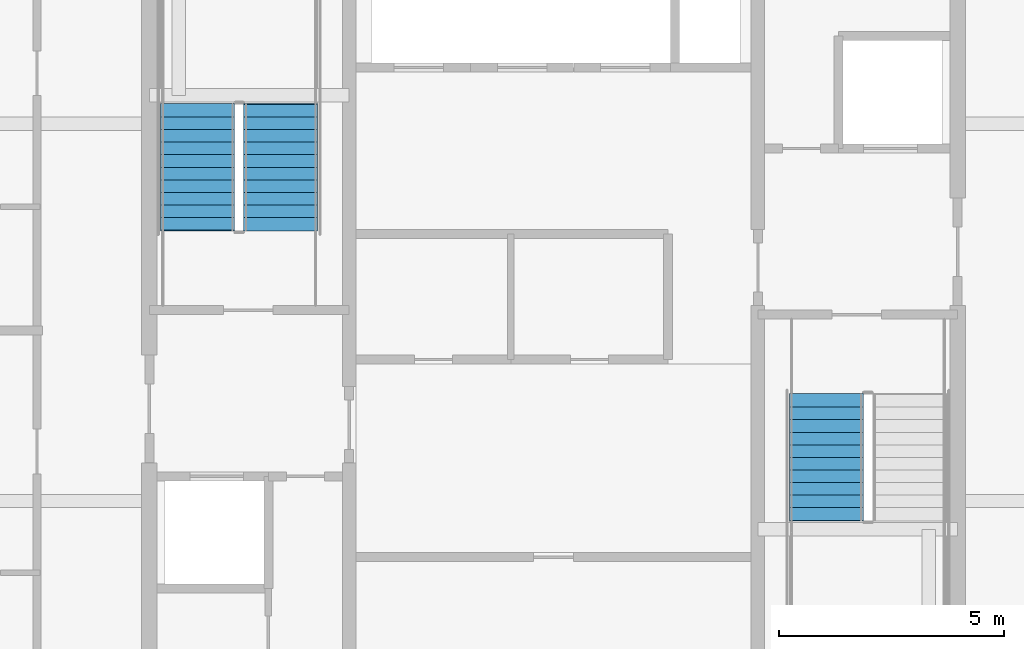
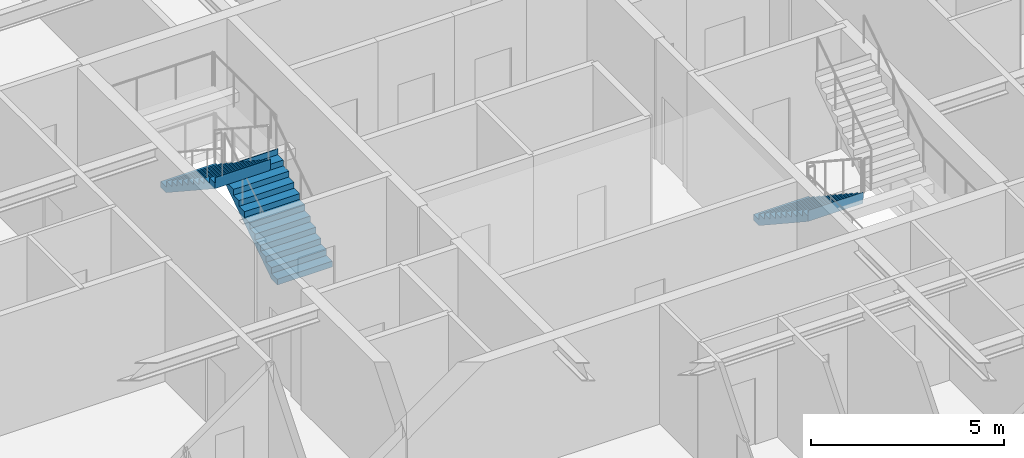
# One storey, part 31 of 37: 3 stair flights, 2 elements without a shape of their own.
"""IFC4 building model written with IfcOpenShell, lengths in metres."""

from ifc_helpers import new_model, si_unit, direction, frame, origin, place, context, subcontext, project, spatial, polygons, material, type_object, element, aggregate, save


model = new_model("IFC4")

# Units and contexts
model_context = context("Model", 3, precision=1e-05, world=origin(), true_north=direction((0.0, 1.0)))
body_context = subcontext(model_context, "Body", "Model", "MODEL_VIEW")
ifc_project = project(units=[si_unit("LENGTHUNIT", "METRE"), si_unit("AREAUNIT", "SQUARE_METRE"), si_unit("VOLUMEUNIT", "CUBIC_METRE"), si_unit("PLANEANGLEUNIT", "RADIAN"), si_unit("MASSUNIT", "GRAM", prefix="KILO")], contexts=[model_context])

# Site, building, storey
site_placement = place(None, origin())
site = spatial("IfcSite", under=ifc_project, at=site_placement, CompositionType="ELEMENT")
building_placement = place(site_placement, origin())
building = spatial("IfcBuilding", under=site, at=building_placement, Name="Serunith Strait Residences", CompositionType="ELEMENT")
storey_placement = place(building_placement, frame((0.0, 0.0, 305.60009765625)))
storey = spatial("IfcBuildingStorey", under=building, at=storey_placement, Name="L76", CompositionType="ELEMENT", Elevation=305.60009765625)

# Stair, stair flights
ifc_material = material(Name="Concrete C50/60", Category="concrete")
stair_type_1 = type_object("IfcStairType", Name="STR-CORE-1", PredefinedType="HALF_TURN_STAIR", material=ifc_material)
stair_1_placement = place(storey_placement, origin())
stair_1 = element("IfcStair", 1, at=stair_1_placement, inside=storey, type_object=stair_type_1, Name="L76 Protected Escape Stair ST-1", PredefinedType="HALF_TURN_STAIR")
stair_flight_type_1 = type_object("IfcStairFlightType", Name="FLT-CORE-1", PredefinedType="STRAIGHT", material=ifc_material)
stair_flight_1_placement = place(storey_placement, frame((26.324951171875, 27.030029296875, 0.0), z_axis=(0.0, 0.0, 1.0), x_axis=(0.0, 1.0, 0.0)))
stair_flight_1 = element("IfcStairFlight", 2, at=stair_flight_1_placement, type_object=stair_flight_type_1, Name="ST-1 flight 1", NumberOfRisers=11, NumberOfTreads=10, PredefinedType="STRAIGHT", RiserHeight=0.184090909, TreadLength=0.28, context=body_context, shape_type="Tessellation", body=[
    polygons([(-0.02001953125, -0.824951171875, 0.0), (-0.02001953125, -0.824951171875, 0.18408203125), (0.280029296875, -0.824951171875, 0.18408203125), (0.280029296875, -0.824951171875, 0.3681640625), (0.56005859375, -0.824951171875, 0.3681640625), (0.56005859375, -0.824951171875, 0.55224609375), (0.840087890625, -0.824951171875, 0.55224609375), (0.840087890625, -0.824951171875, 0.736328125), (1.1201171875, -0.824951171875, 0.736328125), (1.1201171875, -0.824951171875, 0.92041015625), (1.39990234375, -0.824951171875, 0.92041015625), (1.39990234375, -0.824951171875, 1.1044921875), (1.679931640625, -0.824951171875, 1.1044921875), (1.679931640625, -0.824951171875, 1.28857421875), (1.9599609375, -0.824951171875, 1.28857421875), (1.9599609375, -0.824951171875, 1.47265625), (2.239990234375, -0.824951171875, 1.47265625), (2.239990234375, -0.824951171875, 1.65673828125), (2.52001953125, -0.824951171875, 1.65673828125), (2.52001953125, -0.824951171875, 1.8408203125), (2.800048828125, -0.824951171875, 1.8408203125), (2.800048828125, -0.824951171875, 2.02490234375), (2.820068359375, -0.824951171875, 2.02490234375), (2.820068359375, -0.824951171875, 1.965087890625), (2.800048828125, -0.824951171875, 1.66162109375), (0.27294921875, -0.824951171875, 0.0), (-0.02001953125, -0.41259765625, 0.0), (-0.02001953125, -0.41259765625, 0.18408203125), (0.280029296875, -0.41259765625, 0.18408203125), (0.280029296875, -0.41259765625, 0.3681640625), (0.56005859375, -0.41259765625, 0.3681640625), (0.56005859375, -0.41259765625, 0.55224609375), (0.840087890625, -0.41259765625, 0.55224609375), (0.840087890625, -0.41259765625, 0.736328125), (1.1201171875, -0.41259765625, 0.736328125), (1.1201171875, -0.41259765625, 0.92041015625), (1.39990234375, -0.41259765625, 0.92041015625), (1.39990234375, -0.41259765625, 1.1044921875), (1.679931640625, -0.41259765625, 1.1044921875), (1.679931640625, -0.41259765625, 1.28857421875), (1.9599609375, -0.41259765625, 1.28857421875), (1.9599609375, -0.41259765625, 1.47265625), (2.239990234375, -0.41259765625, 1.47265625), (2.239990234375, -0.41259765625, 1.65673828125), (2.52001953125, -0.41259765625, 1.65673828125), (2.52001953125, -0.41259765625, 1.8408203125), (2.800048828125, -0.41259765625, 1.8408203125), (2.800048828125, -0.41259765625, 2.02490234375), (2.820068359375, -0.41259765625, 2.02490234375), (2.820068359375, -0.41259765625, 1.965087890625), (2.800048828125, -0.41259765625, 1.66162109375), (0.27294921875, -0.41259765625, 0.0), (-0.02001953125, 0.0, 0.0), (-0.02001953125, 0.0, 0.18408203125), (0.280029296875, 0.0, 0.18408203125), (0.280029296875, 0.0, 0.3681640625), (0.56005859375, 0.0, 0.3681640625), (0.56005859375, 0.0, 0.55224609375), (0.840087890625, 0.0, 0.55224609375), (0.840087890625, 0.0, 0.736328125), (1.1201171875, 0.0, 0.736328125), (1.1201171875, 0.0, 0.92041015625), (1.39990234375, 0.0, 0.92041015625), (1.39990234375, 0.0, 1.1044921875), (1.679931640625, 0.0, 1.1044921875), (1.679931640625, 0.0, 1.28857421875), (1.9599609375, 0.0, 1.28857421875), (1.9599609375, 0.0, 1.47265625), (2.239990234375, 0.0, 1.47265625), (2.239990234375, 0.0, 1.65673828125), (2.52001953125, 0.0, 1.65673828125), (2.52001953125, 0.0, 1.8408203125), (2.800048828125, 0.0, 1.8408203125), (2.800048828125, 0.0, 2.02490234375), (2.820068359375, 0.0, 2.02490234375), (2.820068359375, 0.0, 1.965087890625), (2.800048828125, 0.0, 1.66162109375), (0.27294921875, 0.0, 0.0), (-0.02001953125, 0.41259765625, 0.0), (-0.02001953125, 0.41259765625, 0.18408203125), (0.280029296875, 0.41259765625, 0.18408203125), (0.280029296875, 0.41259765625, 0.3681640625), (0.56005859375, 0.41259765625, 0.3681640625), (0.56005859375, 0.41259765625, 0.55224609375), (0.840087890625, 0.41259765625, 0.55224609375), (0.840087890625, 0.41259765625, 0.736328125), (1.1201171875, 0.41259765625, 0.736328125), (1.1201171875, 0.41259765625, 0.92041015625), (1.39990234375, 0.41259765625, 0.92041015625), (1.39990234375, 0.41259765625, 1.1044921875), (1.679931640625, 0.41259765625, 1.1044921875), (1.679931640625, 0.41259765625, 1.28857421875), (1.9599609375, 0.41259765625, 1.28857421875), (1.9599609375, 0.41259765625, 1.47265625), (2.239990234375, 0.41259765625, 1.47265625), (2.239990234375, 0.41259765625, 1.65673828125), (2.52001953125, 0.41259765625, 1.65673828125), (2.52001953125, 0.41259765625, 1.8408203125), (2.800048828125, 0.41259765625, 1.8408203125), (2.800048828125, 0.41259765625, 2.02490234375), (2.820068359375, 0.41259765625, 2.02490234375), (2.820068359375, 0.41259765625, 1.965087890625), (2.800048828125, 0.41259765625, 1.66162109375), (0.27294921875, 0.41259765625, 0.0), (-0.02001953125, 0.824951171875, 0.0), (-0.02001953125, 0.824951171875, 0.18408203125), (0.280029296875, 0.824951171875, 0.18408203125), (0.280029296875, 0.824951171875, 0.3681640625), (0.56005859375, 0.824951171875, 0.3681640625), (0.56005859375, 0.824951171875, 0.55224609375), (0.840087890625, 0.824951171875, 0.55224609375), (0.840087890625, 0.824951171875, 0.736328125), (1.1201171875, 0.824951171875, 0.736328125), (1.1201171875, 0.824951171875, 0.92041015625), (1.39990234375, 0.824951171875, 0.92041015625), (1.39990234375, 0.824951171875, 1.1044921875), (1.679931640625, 0.824951171875, 1.1044921875), (1.679931640625, 0.824951171875, 1.28857421875), (1.9599609375, 0.824951171875, 1.28857421875), (1.9599609375, 0.824951171875, 1.47265625), (2.239990234375, 0.824951171875, 1.47265625), (2.239990234375, 0.824951171875, 1.65673828125), (2.52001953125, 0.824951171875, 1.65673828125), (2.52001953125, 0.824951171875, 1.8408203125), (2.800048828125, 0.824951171875, 1.8408203125), (2.800048828125, 0.824951171875, 2.02490234375), (2.820068359375, 0.824951171875, 2.02490234375), (2.820068359375, 0.824951171875, 1.965087890625), (2.800048828125, 0.824951171875, 1.66162109375), (0.27294921875, 0.824951171875, 0.0)], [[[1, 2, 28, 27]], [[2, 3, 29, 28]], [[3, 4, 30, 29]], [[4, 5, 31, 30]], [[5, 6, 32, 31]], [[6, 7, 33, 32]], [[7, 8, 34, 33]], [[8, 9, 35, 34]], [[9, 10, 36, 35]], [[10, 11, 37, 36]], [[11, 12, 38, 37]], [[12, 13, 39, 38]], [[13, 14, 40, 39]], [[14, 15, 41, 40]], [[15, 16, 42, 41]], [[16, 17, 43, 42]], [[17, 18, 44, 43]], [[18, 19, 45, 44]], [[19, 20, 46, 45]], [[20, 21, 47, 46]], [[21, 22, 48, 47]], [[22, 23, 49, 48]], [[23, 24, 50, 49]], [[24, 25, 51, 50]], [[25, 26, 52, 51]], [[26, 1, 27, 52]], [[27, 28, 54, 53]], [[28, 29, 55, 54]], [[29, 30, 56, 55]], [[30, 31, 57, 56]], [[31, 32, 58, 57]], [[32, 33, 59, 58]], [[33, 34, 60, 59]], [[34, 35, 61, 60]], [[35, 36, 62, 61]], [[36, 37, 63, 62]], [[37, 38, 64, 63]], [[38, 39, 65, 64]], [[39, 40, 66, 65]], [[40, 41, 67, 66]], [[41, 42, 68, 67]], [[42, 43, 69, 68]], [[43, 44, 70, 69]], [[44, 45, 71, 70]], [[45, 46, 72, 71]], [[46, 47, 73, 72]], [[47, 48, 74, 73]], [[48, 49, 75, 74]], [[49, 50, 76, 75]], [[50, 51, 77, 76]], [[51, 52, 78, 77]], [[52, 27, 53, 78]], [[53, 54, 80, 79]], [[54, 55, 81, 80]], [[55, 56, 82, 81]], [[56, 57, 83, 82]], [[57, 58, 84, 83]], [[58, 59, 85, 84]], [[59, 60, 86, 85]], [[60, 61, 87, 86]], [[61, 62, 88, 87]], [[62, 63, 89, 88]], [[63, 64, 90, 89]], [[64, 65, 91, 90]], [[65, 66, 92, 91]], [[66, 67, 93, 92]], [[67, 68, 94, 93]], [[68, 69, 95, 94]], [[69, 70, 96, 95]], [[70, 71, 97, 96]], [[71, 72, 98, 97]], [[72, 73, 99, 98]], [[73, 74, 100, 99]], [[74, 75, 101, 100]], [[75, 76, 102, 101]], [[76, 77, 103, 102]], [[77, 78, 104, 103]], [[78, 53, 79, 104]], [[79, 80, 106, 105]], [[80, 81, 107, 106]], [[81, 82, 108, 107]], [[82, 83, 109, 108]], [[83, 84, 110, 109]], [[84, 85, 111, 110]], [[85, 86, 112, 111]], [[86, 87, 113, 112]], [[87, 88, 114, 113]], [[88, 89, 115, 114]], [[89, 90, 116, 115]], [[90, 91, 117, 116]], [[91, 92, 118, 117]], [[92, 93, 119, 118]], [[93, 94, 120, 119]], [[94, 95, 121, 120]], [[95, 96, 122, 121]], [[96, 97, 123, 122]], [[97, 98, 124, 123]], [[98, 99, 125, 124]], [[99, 100, 126, 125]], [[100, 101, 127, 126]], [[101, 102, 128, 127]], [[102, 103, 129, 128]], [[103, 104, 130, 129]], [[104, 79, 105, 130]], [[26, 25, 24, 23, 22, 21, 20, 19, 18, 17, 16, 15, 14, 13, 12, 11, 10, 9, 8, 7, 6, 5, 4, 3, 2, 1]], [[105, 106, 107, 108, 109, 110, 111, 112, 113, 114, 115, 116, 117, 118, 119, 120, 121, 122, 123, 124, 125, 126, 127, 128, 129, 130]]], closed=True),
])
stair_flight_2_placement = place(storey_placement, frame((24.47509765625, 29.830078125, 2.02490234375), z_axis=(0.0, 0.0, 1.0), x_axis=(0.0, -1.0, 0.0)))
stair_flight_2 = element("IfcStairFlight", 3, at=stair_flight_2_placement, type_object=stair_flight_type_1, Name="ST-1 flight 2", NumberOfRisers=11, NumberOfTreads=10, PredefinedType="STRAIGHT", RiserHeight=0.184090909, TreadLength=0.28, context=body_context, shape_type="Tessellation", body=[
    polygons([(-0.02001953125, -0.824951171875, 0.0), (-0.02001953125, -0.824951171875, 0.18408203125), (0.280029296875, -0.824951171875, 0.18408203125), (0.280029296875, -0.824951171875, 0.3681640625), (0.56005859375, -0.824951171875, 0.3681640625), (0.56005859375, -0.824951171875, 0.55224609375), (0.840087890625, -0.824951171875, 0.55224609375), (0.840087890625, -0.824951171875, 0.736328125), (1.1201171875, -0.824951171875, 0.736328125), (1.1201171875, -0.824951171875, 0.92041015625), (1.39990234375, -0.824951171875, 0.92041015625), (1.39990234375, -0.824951171875, 1.1044921875), (1.679931640625, -0.824951171875, 1.1044921875), (1.679931640625, -0.824951171875, 1.28857421875), (1.9599609375, -0.824951171875, 1.28857421875), (1.9599609375, -0.824951171875, 1.47265625), (2.239990234375, -0.824951171875, 1.47265625), (2.239990234375, -0.824951171875, 1.65673828125), (2.52001953125, -0.824951171875, 1.65673828125), (2.52001953125, -0.824951171875, 1.8408203125), (2.800048828125, -0.824951171875, 1.8408203125), (2.800048828125, -0.824951171875, 2.02490234375), (2.820068359375, -0.824951171875, 2.02490234375), (2.820068359375, -0.824951171875, 1.965087890625), (2.800048828125, -0.824951171875, 1.66162109375), (0.27294921875, -0.824951171875, 0.0), (-0.02001953125, -0.41259765625, 0.0), (-0.02001953125, -0.41259765625, 0.18408203125), (0.280029296875, -0.41259765625, 0.18408203125), (0.280029296875, -0.41259765625, 0.3681640625), (0.56005859375, -0.41259765625, 0.3681640625), (0.56005859375, -0.41259765625, 0.55224609375), (0.840087890625, -0.41259765625, 0.55224609375), (0.840087890625, -0.41259765625, 0.736328125), (1.1201171875, -0.41259765625, 0.736328125), (1.1201171875, -0.41259765625, 0.92041015625), (1.39990234375, -0.41259765625, 0.92041015625), (1.39990234375, -0.41259765625, 1.1044921875), (1.679931640625, -0.41259765625, 1.1044921875), (1.679931640625, -0.41259765625, 1.28857421875), (1.9599609375, -0.41259765625, 1.28857421875), (1.9599609375, -0.41259765625, 1.47265625), (2.239990234375, -0.41259765625, 1.47265625), (2.239990234375, -0.41259765625, 1.65673828125), (2.52001953125, -0.41259765625, 1.65673828125), (2.52001953125, -0.41259765625, 1.8408203125), (2.800048828125, -0.41259765625, 1.8408203125), (2.800048828125, -0.41259765625, 2.02490234375), (2.820068359375, -0.41259765625, 2.02490234375), (2.820068359375, -0.41259765625, 1.965087890625), (2.800048828125, -0.41259765625, 1.66162109375), (0.27294921875, -0.41259765625, 0.0), (-0.02001953125, 0.0, 0.0), (-0.02001953125, 0.0, 0.18408203125), (0.280029296875, 0.0, 0.18408203125), (0.280029296875, 0.0, 0.3681640625), (0.56005859375, 0.0, 0.3681640625), (0.56005859375, 0.0, 0.55224609375), (0.840087890625, 0.0, 0.55224609375), (0.840087890625, 0.0, 0.736328125), (1.1201171875, 0.0, 0.736328125), (1.1201171875, 0.0, 0.92041015625), (1.39990234375, 0.0, 0.92041015625), (1.39990234375, 0.0, 1.1044921875), (1.679931640625, 0.0, 1.1044921875), (1.679931640625, 0.0, 1.28857421875), (1.9599609375, 0.0, 1.28857421875), (1.9599609375, 0.0, 1.47265625), (2.239990234375, 0.0, 1.47265625), (2.239990234375, 0.0, 1.65673828125), (2.52001953125, 0.0, 1.65673828125), (2.52001953125, 0.0, 1.8408203125), (2.800048828125, 0.0, 1.8408203125), (2.800048828125, 0.0, 2.02490234375), (2.820068359375, 0.0, 2.02490234375), (2.820068359375, 0.0, 1.965087890625), (2.800048828125, 0.0, 1.66162109375), (0.27294921875, 0.0, 0.0), (-0.02001953125, 0.41259765625, 0.0), (-0.02001953125, 0.41259765625, 0.18408203125), (0.280029296875, 0.41259765625, 0.18408203125), (0.280029296875, 0.41259765625, 0.3681640625), (0.56005859375, 0.41259765625, 0.3681640625), (0.56005859375, 0.41259765625, 0.55224609375), (0.840087890625, 0.41259765625, 0.55224609375), (0.840087890625, 0.41259765625, 0.736328125), (1.1201171875, 0.41259765625, 0.736328125), (1.1201171875, 0.41259765625, 0.92041015625), (1.39990234375, 0.41259765625, 0.92041015625), (1.39990234375, 0.41259765625, 1.1044921875), (1.679931640625, 0.41259765625, 1.1044921875), (1.679931640625, 0.41259765625, 1.28857421875), (1.9599609375, 0.41259765625, 1.28857421875), (1.9599609375, 0.41259765625, 1.47265625), (2.239990234375, 0.41259765625, 1.47265625), (2.239990234375, 0.41259765625, 1.65673828125), (2.52001953125, 0.41259765625, 1.65673828125), (2.52001953125, 0.41259765625, 1.8408203125), (2.800048828125, 0.41259765625, 1.8408203125), (2.800048828125, 0.41259765625, 2.02490234375), (2.820068359375, 0.41259765625, 2.02490234375), (2.820068359375, 0.41259765625, 1.965087890625), (2.800048828125, 0.41259765625, 1.66162109375), (0.27294921875, 0.41259765625, 0.0), (-0.02001953125, 0.824951171875, 0.0), (-0.02001953125, 0.824951171875, 0.18408203125), (0.280029296875, 0.824951171875, 0.18408203125), (0.280029296875, 0.824951171875, 0.3681640625), (0.56005859375, 0.824951171875, 0.3681640625), (0.56005859375, 0.824951171875, 0.55224609375), (0.840087890625, 0.824951171875, 0.55224609375), (0.840087890625, 0.824951171875, 0.736328125), (1.1201171875, 0.824951171875, 0.736328125), (1.1201171875, 0.824951171875, 0.92041015625), (1.39990234375, 0.824951171875, 0.92041015625), (1.39990234375, 0.824951171875, 1.1044921875), (1.679931640625, 0.824951171875, 1.1044921875), (1.679931640625, 0.824951171875, 1.28857421875), (1.9599609375, 0.824951171875, 1.28857421875), (1.9599609375, 0.824951171875, 1.47265625), (2.239990234375, 0.824951171875, 1.47265625), (2.239990234375, 0.824951171875, 1.65673828125), (2.52001953125, 0.824951171875, 1.65673828125), (2.52001953125, 0.824951171875, 1.8408203125), (2.800048828125, 0.824951171875, 1.8408203125), (2.800048828125, 0.824951171875, 2.02490234375), (2.820068359375, 0.824951171875, 2.02490234375), (2.820068359375, 0.824951171875, 1.965087890625), (2.800048828125, 0.824951171875, 1.66162109375), (0.27294921875, 0.824951171875, 0.0)], [[[1, 2, 28, 27]], [[2, 3, 29, 28]], [[3, 4, 30, 29]], [[4, 5, 31, 30]], [[5, 6, 32, 31]], [[6, 7, 33, 32]], [[7, 8, 34, 33]], [[8, 9, 35, 34]], [[9, 10, 36, 35]], [[10, 11, 37, 36]], [[11, 12, 38, 37]], [[12, 13, 39, 38]], [[13, 14, 40, 39]], [[14, 15, 41, 40]], [[15, 16, 42, 41]], [[16, 17, 43, 42]], [[17, 18, 44, 43]], [[18, 19, 45, 44]], [[19, 20, 46, 45]], [[20, 21, 47, 46]], [[21, 22, 48, 47]], [[22, 23, 49, 48]], [[23, 24, 50, 49]], [[24, 25, 51, 50]], [[25, 26, 52, 51]], [[26, 1, 27, 52]], [[27, 28, 54, 53]], [[28, 29, 55, 54]], [[29, 30, 56, 55]], [[30, 31, 57, 56]], [[31, 32, 58, 57]], [[32, 33, 59, 58]], [[33, 34, 60, 59]], [[34, 35, 61, 60]], [[35, 36, 62, 61]], [[36, 37, 63, 62]], [[37, 38, 64, 63]], [[38, 39, 65, 64]], [[39, 40, 66, 65]], [[40, 41, 67, 66]], [[41, 42, 68, 67]], [[42, 43, 69, 68]], [[43, 44, 70, 69]], [[44, 45, 71, 70]], [[45, 46, 72, 71]], [[46, 47, 73, 72]], [[47, 48, 74, 73]], [[48, 49, 75, 74]], [[49, 50, 76, 75]], [[50, 51, 77, 76]], [[51, 52, 78, 77]], [[52, 27, 53, 78]], [[53, 54, 80, 79]], [[54, 55, 81, 80]], [[55, 56, 82, 81]], [[56, 57, 83, 82]], [[57, 58, 84, 83]], [[58, 59, 85, 84]], [[59, 60, 86, 85]], [[60, 61, 87, 86]], [[61, 62, 88, 87]], [[62, 63, 89, 88]], [[63, 64, 90, 89]], [[64, 65, 91, 90]], [[65, 66, 92, 91]], [[66, 67, 93, 92]], [[67, 68, 94, 93]], [[68, 69, 95, 94]], [[69, 70, 96, 95]], [[70, 71, 97, 96]], [[71, 72, 98, 97]], [[72, 73, 99, 98]], [[73, 74, 100, 99]], [[74, 75, 101, 100]], [[75, 76, 102, 101]], [[76, 77, 103, 102]], [[77, 78, 104, 103]], [[78, 53, 79, 104]], [[79, 80, 106, 105]], [[80, 81, 107, 106]], [[81, 82, 108, 107]], [[82, 83, 109, 108]], [[83, 84, 110, 109]], [[84, 85, 111, 110]], [[85, 86, 112, 111]], [[86, 87, 113, 112]], [[87, 88, 114, 113]], [[88, 89, 115, 114]], [[89, 90, 116, 115]], [[90, 91, 117, 116]], [[91, 92, 118, 117]], [[92, 93, 119, 118]], [[93, 94, 120, 119]], [[94, 95, 121, 120]], [[95, 96, 122, 121]], [[96, 97, 123, 122]], [[97, 98, 124, 123]], [[98, 99, 125, 124]], [[99, 100, 126, 125]], [[100, 101, 127, 126]], [[101, 102, 128, 127]], [[102, 103, 129, 128]], [[103, 104, 130, 129]], [[104, 79, 105, 130]], [[26, 25, 24, 23, 22, 21, 20, 19, 18, 17, 16, 15, 14, 13, 12, 11, 10, 9, 8, 7, 6, 5, 4, 3, 2, 1]], [[105, 106, 107, 108, 109, 110, 111, 112, 113, 114, 115, 116, 117, 118, 119, 120, 121, 122, 123, 124, 125, 126, 127, 128, 129, 130]]], closed=True),
])
aggregate(stair_1, [stair_flight_1, stair_flight_2])

# Stair, stair flight
stair_type_2 = type_object("IfcStairType", Name="STR-CORE-2", PredefinedType="HALF_TURN_STAIR", material=ifc_material)
stair_2_placement = place(storey_placement, origin())
stair_2 = element("IfcStair", 4, at=stair_2_placement, inside=storey, type_object=stair_type_2, Name="L76 Protected Escape Stair ST-2", PredefinedType="HALF_TURN_STAIR")
stair_flight_type_2 = type_object("IfcStairFlightType", Name="FLT-CORE-2", PredefinedType="STRAIGHT", material=ifc_material)
stair_flight_3_placement = place(storey_placement, frame((38.47509765625, 23.3701171875, 0.0), z_axis=(0.0, 0.0, 1.0), x_axis=(0.0, -1.0, 0.0)))
stair_flight_3 = element("IfcStairFlight", 5, at=stair_flight_3_placement, type_object=stair_flight_type_2, Name="ST-2 flight 1", NumberOfRisers=11, NumberOfTreads=10, PredefinedType="STRAIGHT", RiserHeight=0.184090909, TreadLength=0.28, context=body_context, shape_type="Tessellation", body=[
    polygons([(-0.02001953125, -0.824951171875, 0.0), (-0.02001953125, -0.824951171875, 0.18408203125), (0.280029296875, -0.824951171875, 0.18408203125), (0.280029296875, -0.824951171875, 0.3681640625), (0.56005859375, -0.824951171875, 0.3681640625), (0.56005859375, -0.824951171875, 0.55224609375), (0.840087890625, -0.824951171875, 0.55224609375), (0.840087890625, -0.824951171875, 0.736328125), (1.1201171875, -0.824951171875, 0.736328125), (1.1201171875, -0.824951171875, 0.92041015625), (1.39990234375, -0.824951171875, 0.92041015625), (1.39990234375, -0.824951171875, 1.1044921875), (1.679931640625, -0.824951171875, 1.1044921875), (1.679931640625, -0.824951171875, 1.28857421875), (1.9599609375, -0.824951171875, 1.28857421875), (1.9599609375, -0.824951171875, 1.47265625), (2.239990234375, -0.824951171875, 1.47265625), (2.239990234375, -0.824951171875, 1.65673828125), (2.52001953125, -0.824951171875, 1.65673828125), (2.52001953125, -0.824951171875, 1.8408203125), (2.800048828125, -0.824951171875, 1.8408203125), (2.800048828125, -0.824951171875, 2.02490234375), (2.820068359375, -0.824951171875, 2.02490234375), (2.820068359375, -0.824951171875, 1.965087890625), (2.800048828125, -0.824951171875, 1.66162109375), (0.27294921875, -0.824951171875, 0.0), (-0.02001953125, -0.41259765625, 0.0), (-0.02001953125, -0.41259765625, 0.18408203125), (0.280029296875, -0.41259765625, 0.18408203125), (0.280029296875, -0.41259765625, 0.3681640625), (0.56005859375, -0.41259765625, 0.3681640625), (0.56005859375, -0.41259765625, 0.55224609375), (0.840087890625, -0.41259765625, 0.55224609375), (0.840087890625, -0.41259765625, 0.736328125), (1.1201171875, -0.41259765625, 0.736328125), (1.1201171875, -0.41259765625, 0.92041015625), (1.39990234375, -0.41259765625, 0.92041015625), (1.39990234375, -0.41259765625, 1.1044921875), (1.679931640625, -0.41259765625, 1.1044921875), (1.679931640625, -0.41259765625, 1.28857421875), (1.9599609375, -0.41259765625, 1.28857421875), (1.9599609375, -0.41259765625, 1.47265625), (2.239990234375, -0.41259765625, 1.47265625), (2.239990234375, -0.41259765625, 1.65673828125), (2.52001953125, -0.41259765625, 1.65673828125), (2.52001953125, -0.41259765625, 1.8408203125), (2.800048828125, -0.41259765625, 1.8408203125), (2.800048828125, -0.41259765625, 2.02490234375), (2.820068359375, -0.41259765625, 2.02490234375), (2.820068359375, -0.41259765625, 1.965087890625), (2.800048828125, -0.41259765625, 1.66162109375), (0.27294921875, -0.41259765625, 0.0), (-0.02001953125, 0.0, 0.0), (-0.02001953125, 0.0, 0.18408203125), (0.280029296875, 0.0, 0.18408203125), (0.280029296875, 0.0, 0.3681640625), (0.56005859375, 0.0, 0.3681640625), (0.56005859375, 0.0, 0.55224609375), (0.840087890625, 0.0, 0.55224609375), (0.840087890625, 0.0, 0.736328125), (1.1201171875, 0.0, 0.736328125), (1.1201171875, 0.0, 0.92041015625), (1.39990234375, 0.0, 0.92041015625), (1.39990234375, 0.0, 1.1044921875), (1.679931640625, 0.0, 1.1044921875), (1.679931640625, 0.0, 1.28857421875), (1.9599609375, 0.0, 1.28857421875), (1.9599609375, 0.0, 1.47265625), (2.239990234375, 0.0, 1.47265625), (2.239990234375, 0.0, 1.65673828125), (2.52001953125, 0.0, 1.65673828125), (2.52001953125, 0.0, 1.8408203125), (2.800048828125, 0.0, 1.8408203125), (2.800048828125, 0.0, 2.02490234375), (2.820068359375, 0.0, 2.02490234375), (2.820068359375, 0.0, 1.965087890625), (2.800048828125, 0.0, 1.66162109375), (0.27294921875, 0.0, 0.0), (-0.02001953125, 0.41259765625, 0.0), (-0.02001953125, 0.41259765625, 0.18408203125), (0.280029296875, 0.41259765625, 0.18408203125), (0.280029296875, 0.41259765625, 0.3681640625), (0.56005859375, 0.41259765625, 0.3681640625), (0.56005859375, 0.41259765625, 0.55224609375), (0.840087890625, 0.41259765625, 0.55224609375), (0.840087890625, 0.41259765625, 0.736328125), (1.1201171875, 0.41259765625, 0.736328125), (1.1201171875, 0.41259765625, 0.92041015625), (1.39990234375, 0.41259765625, 0.92041015625), (1.39990234375, 0.41259765625, 1.1044921875), (1.679931640625, 0.41259765625, 1.1044921875), (1.679931640625, 0.41259765625, 1.28857421875), (1.9599609375, 0.41259765625, 1.28857421875), (1.9599609375, 0.41259765625, 1.47265625), (2.239990234375, 0.41259765625, 1.47265625), (2.239990234375, 0.41259765625, 1.65673828125), (2.52001953125, 0.41259765625, 1.65673828125), (2.52001953125, 0.41259765625, 1.8408203125), (2.800048828125, 0.41259765625, 1.8408203125), (2.800048828125, 0.41259765625, 2.02490234375), (2.820068359375, 0.41259765625, 2.02490234375), (2.820068359375, 0.41259765625, 1.965087890625), (2.800048828125, 0.41259765625, 1.66162109375), (0.27294921875, 0.41259765625, 0.0), (-0.02001953125, 0.824951171875, 0.0), (-0.02001953125, 0.824951171875, 0.18408203125), (0.280029296875, 0.824951171875, 0.18408203125), (0.280029296875, 0.824951171875, 0.3681640625), (0.56005859375, 0.824951171875, 0.3681640625), (0.56005859375, 0.824951171875, 0.55224609375), (0.840087890625, 0.824951171875, 0.55224609375), (0.840087890625, 0.824951171875, 0.736328125), (1.1201171875, 0.824951171875, 0.736328125), (1.1201171875, 0.824951171875, 0.92041015625), (1.39990234375, 0.824951171875, 0.92041015625), (1.39990234375, 0.824951171875, 1.1044921875), (1.679931640625, 0.824951171875, 1.1044921875), (1.679931640625, 0.824951171875, 1.28857421875), (1.9599609375, 0.824951171875, 1.28857421875), (1.9599609375, 0.824951171875, 1.47265625), (2.239990234375, 0.824951171875, 1.47265625), (2.239990234375, 0.824951171875, 1.65673828125), (2.52001953125, 0.824951171875, 1.65673828125), (2.52001953125, 0.824951171875, 1.8408203125), (2.800048828125, 0.824951171875, 1.8408203125), (2.800048828125, 0.824951171875, 2.02490234375), (2.820068359375, 0.824951171875, 2.02490234375), (2.820068359375, 0.824951171875, 1.965087890625), (2.800048828125, 0.824951171875, 1.66162109375), (0.27294921875, 0.824951171875, 0.0)], [[[1, 2, 28, 27]], [[2, 3, 29, 28]], [[3, 4, 30, 29]], [[4, 5, 31, 30]], [[5, 6, 32, 31]], [[6, 7, 33, 32]], [[7, 8, 34, 33]], [[8, 9, 35, 34]], [[9, 10, 36, 35]], [[10, 11, 37, 36]], [[11, 12, 38, 37]], [[12, 13, 39, 38]], [[13, 14, 40, 39]], [[14, 15, 41, 40]], [[15, 16, 42, 41]], [[16, 17, 43, 42]], [[17, 18, 44, 43]], [[18, 19, 45, 44]], [[19, 20, 46, 45]], [[20, 21, 47, 46]], [[21, 22, 48, 47]], [[22, 23, 49, 48]], [[23, 24, 50, 49]], [[24, 25, 51, 50]], [[25, 26, 52, 51]], [[26, 1, 27, 52]], [[27, 28, 54, 53]], [[28, 29, 55, 54]], [[29, 30, 56, 55]], [[30, 31, 57, 56]], [[31, 32, 58, 57]], [[32, 33, 59, 58]], [[33, 34, 60, 59]], [[34, 35, 61, 60]], [[35, 36, 62, 61]], [[36, 37, 63, 62]], [[37, 38, 64, 63]], [[38, 39, 65, 64]], [[39, 40, 66, 65]], [[40, 41, 67, 66]], [[41, 42, 68, 67]], [[42, 43, 69, 68]], [[43, 44, 70, 69]], [[44, 45, 71, 70]], [[45, 46, 72, 71]], [[46, 47, 73, 72]], [[47, 48, 74, 73]], [[48, 49, 75, 74]], [[49, 50, 76, 75]], [[50, 51, 77, 76]], [[51, 52, 78, 77]], [[52, 27, 53, 78]], [[53, 54, 80, 79]], [[54, 55, 81, 80]], [[55, 56, 82, 81]], [[56, 57, 83, 82]], [[57, 58, 84, 83]], [[58, 59, 85, 84]], [[59, 60, 86, 85]], [[60, 61, 87, 86]], [[61, 62, 88, 87]], [[62, 63, 89, 88]], [[63, 64, 90, 89]], [[64, 65, 91, 90]], [[65, 66, 92, 91]], [[66, 67, 93, 92]], [[67, 68, 94, 93]], [[68, 69, 95, 94]], [[69, 70, 96, 95]], [[70, 71, 97, 96]], [[71, 72, 98, 97]], [[72, 73, 99, 98]], [[73, 74, 100, 99]], [[74, 75, 101, 100]], [[75, 76, 102, 101]], [[76, 77, 103, 102]], [[77, 78, 104, 103]], [[78, 53, 79, 104]], [[79, 80, 106, 105]], [[80, 81, 107, 106]], [[81, 82, 108, 107]], [[82, 83, 109, 108]], [[83, 84, 110, 109]], [[84, 85, 111, 110]], [[85, 86, 112, 111]], [[86, 87, 113, 112]], [[87, 88, 114, 113]], [[88, 89, 115, 114]], [[89, 90, 116, 115]], [[90, 91, 117, 116]], [[91, 92, 118, 117]], [[92, 93, 119, 118]], [[93, 94, 120, 119]], [[94, 95, 121, 120]], [[95, 96, 122, 121]], [[96, 97, 123, 122]], [[97, 98, 124, 123]], [[98, 99, 125, 124]], [[99, 100, 126, 125]], [[100, 101, 127, 126]], [[101, 102, 128, 127]], [[102, 103, 129, 128]], [[103, 104, 130, 129]], [[104, 79, 105, 130]], [[26, 25, 24, 23, 22, 21, 20, 19, 18, 17, 16, 15, 14, 13, 12, 11, 10, 9, 8, 7, 6, 5, 4, 3, 2, 1]], [[105, 106, 107, 108, 109, 110, 111, 112, 113, 114, 115, 116, 117, 118, 119, 120, 121, 122, 123, 124, 125, 126, 127, 128, 129, 130]]], closed=True),
])
aggregate(stair_2, [stair_flight_3])

save(model, "model.ifc")
